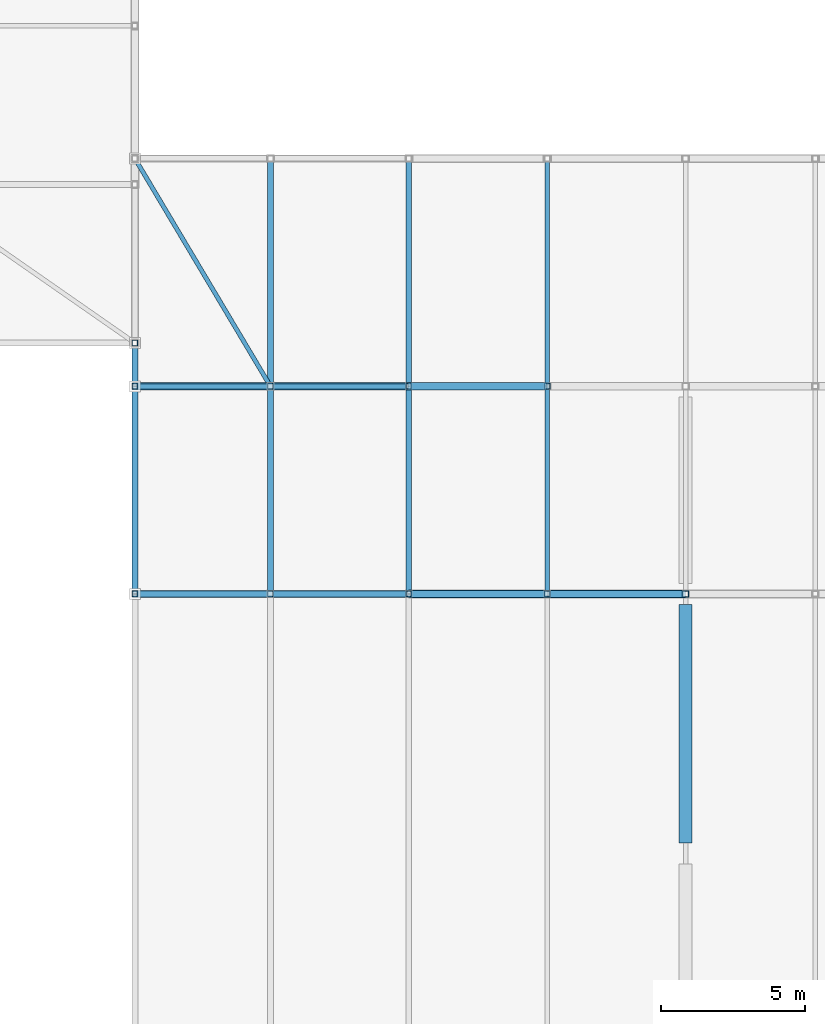
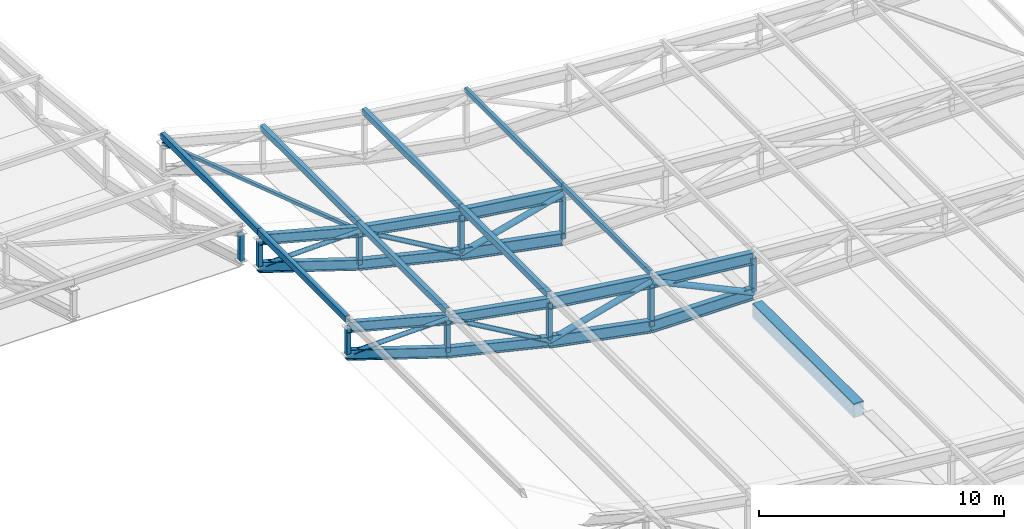
# One storey, part 63 of 114: 26 members, 15 beams.
"""IFC4 building model written with IfcOpenShell, lengths in metres."""

from ifc_helpers import new_model, si_unit, direction, frame, origin, origin_2d, place, context, subcontext, project, spatial, rectangle, hollow_rectangle, hollow_circle, i_section, extrude, material, material_profile, profile_set, type_object, element, save


model = new_model("IFC4")

# Units and contexts
model_context = context("Model", 3, precision=1e-05, world=origin(), true_north=direction((0.0, 1.0)))
body_context = subcontext(model_context, "Body", "Model", "MODEL_VIEW")
ifc_project = project(units=[si_unit("LENGTHUNIT", "METRE"), si_unit("AREAUNIT", "SQUARE_METRE"), si_unit("VOLUMEUNIT", "CUBIC_METRE"), si_unit("PLANEANGLEUNIT", "RADIAN"), si_unit("MASSUNIT", "GRAM", prefix="KILO"), si_unit("THERMODYNAMICTEMPERATUREUNIT", "KELVIN"), si_unit("POWERUNIT", "WATT")], contexts=[model_context])

# Site, building, storey
site_placement = place(None, origin())
site = spatial("IfcSite", under=ifc_project, at=site_placement, CompositionType="ELEMENT")
building_placement = place(site_placement, origin())
building = spatial("IfcBuilding", under=site, at=building_placement, Name="Sindhuravela Promenade Stadium", CompositionType="ELEMENT")
storey_placement = place(building_placement, frame((0.0, 0.0, 24.0)))
storey = spatial("IfcBuildingStorey", under=building, at=storey_placement, Name="L05", CompositionType="ELEMENT", Elevation=24.0)

# Beams
ifc_material_1 = material(Name="Concrete M40", Category="concrete")
ifc_material_profile_1 = material_profile(ifc_material_1, rectangle(XDim=0.449951171875, YDim=0.699951171875, at=origin_2d()), Name="RC 450x700")
ifc_profile_set_1 = profile_set([ifc_material_profile_1], Name="Concrete M40")
beam_type_1 = type_object("IfcBeamType", Name="RC-BM-450x700", PredefinedType="BEAM", material=ifc_profile_set_1)
beam_1_placement = place(storey_placement, frame((180.0, 101.1650390625, -0.594970703125), z_axis=(0.0, 1.0, 0.0), x_axis=(-1.0, 0.0, 0.0)))
element("IfcBeam", 1, at=beam_1_placement, inside=storey, type_object=beam_type_1, Name="Primary beam GB07 EAST L05", PredefinedType="BEAM", context=body_context, shape_type="SweptSolid", body=[
    extrude(rectangle(XDim=0.449951171875, YDim=0.699951171875, at=origin_2d()), origin(), (0.0, 0.0, 1.0), 8.27001953125),
])
ifc_material_2 = material(Name="Steel E350 (IS 2062 E350BR)", Category="steel")
ifc_material_profile_2 = material_profile(ifc_material_2, i_section(OverallWidth=0.25, OverallDepth=0.5, WebThickness=0.010009765625, FlangeThickness=0.0146484375, FilletRadius=0.014892578125, at=origin_2d()), Name="ISWB 500")
ifc_profile_set_2 = profile_set([ifc_material_profile_2], Name="Steel E350 (IS 2062 E350BR)")
beam_type_2 = type_object("IfcBeamType", Name="ST-BM-WB500", PredefinedType="USERDEFINED", material=ifc_profile_set_2)
beam_2_placement = place(storey_placement, frame((170.39990234375, 109.800048828125, 2.889892578125), z_axis=(-0.9842948598662152, 0.0, 0.17653223173388988), x_axis=(0.0, -1.0, 0.0)))
element("IfcBeam", 2, at=beam_2_placement, inside=storey, type_object=beam_type_2, Name="Roof truss RT-E07 top chord 7", ObjectType="ROOF TRUSS", PredefinedType="USERDEFINED", context=body_context, shape_type="SweptSolid", body=[
    extrude(i_section(OverallWidth=0.25, OverallDepth=0.5, WebThickness=0.010009765625, FlangeThickness=0.0146484375, FilletRadius=0.014892578125, at=origin_2d()), origin(), (0.0, 0.0, 1.0), 4.87646484375),
])
beam_3_placement = place(storey_placement, frame((170.39990234375, 109.800048828125, 0.955322265625), z_axis=(-0.9727610703429832, 0.0, 0.23181005160513105), x_axis=(0.0, -1.0, 0.0)))
element("IfcBeam", 3, at=beam_3_placement, inside=storey, type_object=beam_type_2, Name="Roof truss RT-E07 bottom chord 7", ObjectType="ROOF TRUSS", PredefinedType="USERDEFINED", context=body_context, shape_type="SweptSolid", body=[
    extrude(i_section(OverallWidth=0.25, OverallDepth=0.5, WebThickness=0.010009765625, FlangeThickness=0.0146484375, FilletRadius=0.014892578125, at=origin_2d()), origin(), (0.0, 0.0, 1.0), 4.934326171875),
])
beam_4_placement = place(storey_placement, frame((165.60009765625, 109.800048828125, 3.750732421875), z_axis=(-0.9664454134987205, 0.0, 0.2568720746349965), x_axis=(0.0, -1.0, 0.0)))
element("IfcBeam", 4, at=beam_4_placement, inside=storey, type_object=beam_type_2, Name="Roof truss RT-E07 top chord 8", ObjectType="ROOF TRUSS", PredefinedType="USERDEFINED", context=body_context, shape_type="SweptSolid", body=[
    extrude(i_section(OverallWidth=0.25, OverallDepth=0.5, WebThickness=0.010009765625, FlangeThickness=0.0146484375, FilletRadius=0.014892578125, at=origin_2d()), origin(), (0.0, 0.0, 1.0), 4.86328125),
])
beam_5_placement = place(storey_placement, frame((165.60009765625, 109.800048828125, 2.09912109375), z_axis=(-0.951134224020653, 0.0, 0.3087777321903741), x_axis=(0.0, -1.0, 0.0)))
element("IfcBeam", 5, at=beam_5_placement, inside=storey, type_object=beam_type_2, Name="Roof truss RT-E07 bottom chord 8", ObjectType="ROOF TRUSS", PredefinedType="USERDEFINED", context=body_context, shape_type="SweptSolid", body=[
    extrude(i_section(OverallWidth=0.25, OverallDepth=0.5, WebThickness=0.010009765625, FlangeThickness=0.0146484375, FilletRadius=0.014892578125, at=origin_2d()), origin(), (0.0, 0.0, 1.0), 4.941650390625),
])
beam_6_placement = place(storey_placement, frame((170.39990234375, 117.0, 2.889892578125), z_axis=(-0.9842948598662152, 0.0, 0.17653223173388988), x_axis=(0.0, -1.0, 0.0)))
element("IfcBeam", 6, at=beam_6_placement, inside=storey, type_object=beam_type_2, Name="Roof truss RT-E08 top chord 7", ObjectType="ROOF TRUSS", PredefinedType="USERDEFINED", context=body_context, shape_type="SweptSolid", body=[
    extrude(i_section(OverallWidth=0.25, OverallDepth=0.5, WebThickness=0.010009765625, FlangeThickness=0.0146484375, FilletRadius=0.014892578125, at=origin_2d()), origin(), (0.0, 0.0, 1.0), 4.87646484375),
])
beam_7_placement = place(storey_placement, frame((170.39990234375, 117.0, 0.955322265625), z_axis=(-0.9727610703429832, 0.0, 0.23181005160513105), x_axis=(0.0, -1.0, 0.0)))
element("IfcBeam", 7, at=beam_7_placement, inside=storey, type_object=beam_type_2, Name="Roof truss RT-E08 bottom chord 7", ObjectType="ROOF TRUSS", PredefinedType="USERDEFINED", context=body_context, shape_type="SweptSolid", body=[
    extrude(i_section(OverallWidth=0.25, OverallDepth=0.5, WebThickness=0.010009765625, FlangeThickness=0.0146484375, FilletRadius=0.014892578125, at=origin_2d()), origin(), (0.0, 0.0, 1.0), 4.934326171875),
])
beam_8_placement = place(storey_placement, frame((165.60009765625, 117.0, 3.750732421875), z_axis=(-0.9664454134987205, 0.0, 0.2568720746349965), x_axis=(0.0, -1.0, 0.0)))
element("IfcBeam", 8, at=beam_8_placement, inside=storey, type_object=beam_type_2, Name="Roof truss RT-E08 top chord 8", ObjectType="ROOF TRUSS", PredefinedType="USERDEFINED", context=body_context, shape_type="SweptSolid", body=[
    extrude(i_section(OverallWidth=0.25, OverallDepth=0.5, WebThickness=0.010009765625, FlangeThickness=0.0146484375, FilletRadius=0.014892578125, at=origin_2d()), origin(), (0.0, 0.0, 1.0), 4.86328125),
])
beam_9_placement = place(storey_placement, frame((165.60009765625, 117.0, 2.09912109375), z_axis=(-0.951134224020653, 0.0, 0.3087777321903741), x_axis=(0.0, -1.0, 0.0)))
element("IfcBeam", 9, at=beam_9_placement, inside=storey, type_object=beam_type_2, Name="Roof truss RT-E08 bottom chord 8", ObjectType="ROOF TRUSS", PredefinedType="USERDEFINED", context=body_context, shape_type="SweptSolid", body=[
    extrude(i_section(OverallWidth=0.25, OverallDepth=0.5, WebThickness=0.010009765625, FlangeThickness=0.0146484375, FilletRadius=0.014892578125, at=origin_2d()), origin(), (0.0, 0.0, 1.0), 4.941650390625),
])
ifc_material_profile_3 = material_profile(ifc_material_2, i_section(OverallWidth=0.25, OverallDepth=0.60009765625, WebThickness=0.01171875, FlangeThickness=0.023681640625, FilletRadius=0.01708984375, at=origin_2d()), Name="ISWB 600")
ifc_profile_set_3 = profile_set([ifc_material_profile_3], Name="Steel E350 (IS 2062 E350BR)")
beam_type_3 = type_object("IfcBeamType", Name="ST-BM-WB600", PredefinedType="USERDEFINED", material=ifc_profile_set_3)
beam_10_placement = place(storey_placement, frame((180.0, 109.800048828125, 1.7578125), z_axis=(-0.9947943351162852, 0.0, 0.10190304617894301), x_axis=(0.0, -1.0, 0.0)))
element("IfcBeam", 10, at=beam_10_placement, inside=storey, type_object=beam_type_3, Name="Roof truss RT-E07 top chord 5", ObjectType="ROOF TRUSS", PredefinedType="USERDEFINED", context=body_context, shape_type="SweptSolid", body=[
    extrude(i_section(OverallWidth=0.25, OverallDepth=0.60009765625, WebThickness=0.01171875, FlangeThickness=0.023681640625, FilletRadius=0.01708984375, at=origin_2d()), origin(), (0.0, 0.0, 1.0), 4.8251953125),
])
beam_11_placement = place(storey_placement, frame((180.0, 109.800048828125, 0.0), z_axis=(-0.9999778033758007, 0.0, 0.006662788883690041), x_axis=(0.0, -1.0, 0.0)))
element("IfcBeam", 11, at=beam_11_placement, inside=storey, type_object=beam_type_3, Name="Roof truss RT-E07 bottom chord 5", ObjectType="ROOF TRUSS", PredefinedType="USERDEFINED", context=body_context, shape_type="SweptSolid", body=[
    extrude(i_section(OverallWidth=0.25, OverallDepth=0.60009765625, WebThickness=0.01171875, FlangeThickness=0.023681640625, FilletRadius=0.01708984375, at=origin_2d()), origin(), (0.0, 0.0, 1.0), 4.800048828125),
])
beam_12_placement = place(storey_placement, frame((175.199951171875, 109.800048828125, 2.24951171875), z_axis=(-0.9912177706556925, 0.0, 0.1322396730802035), x_axis=(0.0, -1.0, 0.0)))
element("IfcBeam", 12, at=beam_12_placement, inside=storey, type_object=beam_type_3, Name="Roof truss RT-E07 top chord 6", ObjectType="ROOF TRUSS", PredefinedType="USERDEFINED", context=body_context, shape_type="SweptSolid", body=[
    extrude(i_section(OverallWidth=0.25, OverallDepth=0.60009765625, WebThickness=0.01171875, FlangeThickness=0.023681640625, FilletRadius=0.01708984375, at=origin_2d()), origin(), (0.0, 0.0, 1.0), 4.842529296875),
])
beam_13_placement = place(storey_placement, frame((175.199951171875, 109.800048828125, 0.031982421875), z_axis=(-0.9819968269215247, 0.0, 0.18889741108881575), x_axis=(0.0, -1.0, 0.0)))
element("IfcBeam", 13, at=beam_13_placement, inside=storey, type_object=beam_type_3, Name="Roof truss RT-E07 bottom chord 6", ObjectType="ROOF TRUSS", PredefinedType="USERDEFINED", context=body_context, shape_type="SweptSolid", body=[
    extrude(i_section(OverallWidth=0.25, OverallDepth=0.60009765625, WebThickness=0.01171875, FlangeThickness=0.023681640625, FilletRadius=0.01708984375, at=origin_2d()), origin(), (0.0, 0.0, 1.0), 4.887939453125),
])
beam_14_placement = place(storey_placement, frame((175.199951171875, 117.0, 2.24951171875), z_axis=(-0.9912177706556925, 0.0, 0.1322396730802035), x_axis=(0.0, -1.0, 0.0)))
element("IfcBeam", 14, at=beam_14_placement, inside=storey, type_object=beam_type_3, Name="Roof truss RT-E08 top chord 6", ObjectType="ROOF TRUSS", PredefinedType="USERDEFINED", context=body_context, shape_type="SweptSolid", body=[
    extrude(i_section(OverallWidth=0.25, OverallDepth=0.60009765625, WebThickness=0.01171875, FlangeThickness=0.023681640625, FilletRadius=0.01708984375, at=origin_2d()), origin(), (0.0, 0.0, 1.0), 4.842529296875),
])
beam_15_placement = place(storey_placement, frame((175.199951171875, 117.0, 0.031982421875), z_axis=(-0.9819968269215247, 0.0, 0.18889741108881575), x_axis=(0.0, -1.0, 0.0)))
element("IfcBeam", 15, at=beam_15_placement, inside=storey, type_object=beam_type_3, Name="Roof truss RT-E08 bottom chord 6", ObjectType="ROOF TRUSS", PredefinedType="USERDEFINED", context=body_context, shape_type="SweptSolid", body=[
    extrude(i_section(OverallWidth=0.25, OverallDepth=0.60009765625, WebThickness=0.01171875, FlangeThickness=0.023681640625, FilletRadius=0.01708984375, at=origin_2d()), origin(), (0.0, 0.0, 1.0), 4.887939453125),
])

# Members
ifc_material_profile_4 = material_profile(ifc_material_2, hollow_circle(Radius=0.109619140625, WallThickness=0.010009765625, at=origin_2d()), Name="CHS 219.1x10")
ifc_profile_set_4 = profile_set([ifc_material_profile_4], Name="Steel E350 (IS 2062 E350BR)")
member_type_1 = type_object("IfcMemberType", Name="ST-MB-CHS219", PredefinedType="BRACE", material=ifc_profile_set_4)
member_1_placement = place(storey_placement, frame((170.39990234375, 109.800048828125, 0.955322265625), z_axis=(-0.8641294101630913, 0.0, 0.5032696717379143), x_axis=(0.0, -1.0, 0.0)))
element("IfcMember", 16, at=member_1_placement, inside=storey, type_object=member_type_1, Name="Roof truss RT-E07 diagonal web 7", PredefinedType="BRACE", context=body_context, shape_type="SweptSolid", body=[
    extrude(hollow_circle(Radius=0.109619140625, WallThickness=0.010009765625, at=origin_2d()), origin(), (0.0, 0.0, 1.0), 5.554443359375),
])
member_2_placement = place(storey_placement, frame((165.60009765625, 109.800048828125, 3.750732421875), z_axis=(-0.9996423981548164, 0.0, -0.02674090146736601), x_axis=(0.0, -1.0, 0.0)))
element("IfcMember", 17, at=member_2_placement, inside=storey, type_object=member_type_1, Name="Roof truss RT-E07 diagonal web 8", PredefinedType="BRACE", context=body_context, shape_type="SweptSolid", body=[
    extrude(hollow_circle(Radius=0.109619140625, WallThickness=0.010009765625, at=origin_2d()), origin(), (0.0, 0.0, 1.0), 4.701904296875),
])
member_3_placement = place(storey_placement, frame((170.39990234375, 117.0, 0.955322265625), z_axis=(-0.8641294101630913, 0.0, 0.5032696717379143), x_axis=(0.0, -1.0, 0.0)))
element("IfcMember", 18, at=member_3_placement, inside=storey, type_object=member_type_1, Name="Roof truss RT-E08 diagonal web 7", PredefinedType="BRACE", context=body_context, shape_type="SweptSolid", body=[
    extrude(hollow_circle(Radius=0.109619140625, WallThickness=0.010009765625, at=origin_2d()), origin(), (0.0, 0.0, 1.0), 5.554443359375),
])
member_4_placement = place(storey_placement, frame((165.60009765625, 117.0, 3.750732421875), z_axis=(-0.9996423981548164, 0.0, -0.02674090146736601), x_axis=(0.0, -1.0, 0.0)))
element("IfcMember", 19, at=member_4_placement, inside=storey, type_object=member_type_1, Name="Roof truss RT-E08 diagonal web 8", PredefinedType="BRACE", context=body_context, shape_type="SweptSolid", body=[
    extrude(hollow_circle(Radius=0.109619140625, WallThickness=0.010009765625, at=origin_2d()), origin(), (0.0, 0.0, 1.0), 4.701904296875),
])
ifc_material_profile_5 = material_profile(ifc_material_2, hollow_circle(Radius=0.136474609375, WallThickness=0.010009765625, at=origin_2d()), Name="CHS 273.0x10")
ifc_profile_set_5 = profile_set([ifc_material_profile_5], Name="Steel E350 (IS 2062 E350BR)")
member_type_2 = type_object("IfcMemberType", Name="ST-MB-CHS273", PredefinedType="BRACE", material=ifc_profile_set_5)
member_5_placement = place(storey_placement, frame((180.0, 109.800048828125, 0.0), z_axis=(-0.9054959907272458, 0.0, 0.4243548170775059), x_axis=(0.0, -1.0, 0.0)))
element("IfcMember", 20, at=member_5_placement, inside=storey, type_object=member_type_2, Name="Roof truss RT-E07 diagonal web 5", PredefinedType="BRACE", context=body_context, shape_type="SweptSolid", body=[
    extrude(hollow_circle(Radius=0.136474609375, WallThickness=0.010009765625, at=origin_2d()), origin(), (0.0, 0.0, 1.0), 5.301025390625),
])
for number, where, z_axis, x_axis, name in (
    (21, (175.199951171875, 109.800048828125, 2.24951171875), (-0.9655213389510635, 0.0, -0.26032392135596294), (0.0, -1.0, 0.0), "Roof truss RT-E07 diagonal web 6"),
    (22, (175.199951171875, 117.0, 2.24951171875), (-0.9655213389510635, 0.0, -0.26032392135596294), (0.0, -1.0, 0.0), "Roof truss RT-E08 diagonal web 6"),
):
    element("IfcMember", number, at=place(storey_placement, frame(where, z_axis=z_axis, x_axis=x_axis)), inside=storey, type_object=member_type_2, Name=name, PredefinedType="BRACE", context=body_context, shape_type="SweptSolid", body=[
        extrude(hollow_circle(Radius=0.136474609375, WallThickness=0.010009765625, at=origin_2d()), origin(), (0.0, 0.0, 1.0), 4.971435546875),
    ])
ifc_material_profile_6 = material_profile(ifc_material_2, hollow_rectangle(XDim=0.14990234375, YDim=0.25, WallThickness=0.010009765625, at=origin_2d()), Name="RHS 250x150x10")
ifc_profile_set_6 = profile_set([ifc_material_profile_6], Name="Steel E350 (IS 2062 E350BR)")
member_type_3 = type_object("IfcMemberType", Name="ST-MB-RHS250", PredefinedType="PURLIN", material=ifc_profile_set_6)
member_6_placement = place(storey_placement, frame((175.199951171875, 109.800048828125, 2.641357421875), z_axis=(0.0, 1.0, 0.0), x_axis=(-1.0, 0.0, 0.0)))
element("IfcMember", 23, at=member_6_placement, inside=storey, type_object=member_type_3, Name="Roof purlin PR01 E bay 7.6", PredefinedType="PURLIN", context=body_context, shape_type="SweptSolid", body=[
    extrude(hollow_rectangle(XDim=0.14990234375, YDim=0.25, WallThickness=0.010009765625, at=origin_2d()), origin(), (0.0, 0.0, 1.0), 7.199951171875),
])
member_7_placement = place(storey_placement, frame((175.199951171875, 117.0, 2.641357421875), z_axis=(0.0, 1.0, 0.0), x_axis=(-1.0, 0.0, 0.0)))
element("IfcMember", 24, at=member_7_placement, inside=storey, type_object=member_type_3, Name="Roof purlin PR01 E bay 8.6", PredefinedType="PURLIN", context=body_context, shape_type="SweptSolid", body=[
    extrude(hollow_rectangle(XDim=0.14990234375, YDim=0.25, WallThickness=0.010009765625, at=origin_2d()), origin(), (0.0, 0.0, 1.0), 7.89990234375),
])
ifc_material_profile_7 = material_profile(ifc_material_2, hollow_rectangle(XDim=0.199951171875, YDim=0.300048828125, WallThickness=0.010009765625, at=origin_2d()), Name="RHS 300x200x10")
ifc_profile_set_7 = profile_set([ifc_material_profile_7], Name="Steel E350 (IS 2062 E350BR)")
member_type_4 = type_object("IfcMemberType", Name="ST-MB-RHS300", PredefinedType="PURLIN", material=ifc_profile_set_7)
for number, where, z_axis, x_axis, name in (
    (25, (170.39990234375, 109.800048828125, 3.2568359375), (0.0, 1.0, 0.0), (-1.0, 0.0, 0.0), "Roof purlin PR02 E bay 7.7"),
    (26, (165.60009765625, 109.800048828125, 4.117919921875), (0.0, 1.0, 0.0), (-1.0, 0.0, 0.0), "Roof purlin PR02 E bay 7.8"),
    (27, (160.89990234375, 109.800048828125, 5.366943359375), (0.0, 1.0, 0.0), (-1.0, 0.0, 0.0), "Roof purlin PR02 E bay 7.9"),
):
    element("IfcMember", number, at=place(storey_placement, frame(where, z_axis=z_axis, x_axis=x_axis)), inside=storey, type_object=member_type_4, Name=name, PredefinedType="PURLIN", context=body_context, shape_type="SweptSolid", body=[
        extrude(hollow_rectangle(XDim=0.199951171875, YDim=0.300048828125, WallThickness=0.010009765625, at=origin_2d()), origin(), (0.0, 0.0, 1.0), 7.199951171875),
    ])
for number, where, z_axis, x_axis, name in (
    (28, (170.39990234375, 117.0, 3.2568359375), (0.0, 1.0, 0.0), (-1.0, 0.0, 0.0), "Roof purlin PR02 E bay 8.7"),
    (29, (165.60009765625, 117.0, 4.117919921875), (0.0, 1.0, 0.0), (-1.0, 0.0, 0.0), "Roof purlin PR02 E bay 8.8"),
    (30, (160.89990234375, 117.0, 5.366943359375), (0.0, 1.0, 0.0), (-1.0, 0.0, 0.0), "Roof purlin PR02 E bay 8.9"),
):
    element("IfcMember", number, at=place(storey_placement, frame(where, z_axis=z_axis, x_axis=x_axis)), inside=storey, type_object=member_type_4, Name=name, PredefinedType="PURLIN", context=body_context, shape_type="SweptSolid", body=[
        extrude(hollow_rectangle(XDim=0.199951171875, YDim=0.300048828125, WallThickness=0.010009765625, at=origin_2d()), origin(), (0.0, 0.0, 1.0), 7.89990234375),
    ])
ifc_material_profile_8 = material_profile(ifc_material_2, hollow_rectangle(XDim=0.14990234375, YDim=0.14990234375, WallThickness=0.008056640625, at=origin_2d()), Name="SHS 150x150x8")
ifc_profile_set_8 = profile_set([ifc_material_profile_8], Name="Steel E350 (IS 2062 E350BR)")
member_type_5 = type_object("IfcMemberType", Name="ST-MB-SHS150", PredefinedType="BRACE", material=ifc_profile_set_8)
member_8_placement = place(storey_placement, frame((165.60009765625, 117.0, 3.750732421875), z_axis=(-0.506655551444734, 0.8515666078147051, 0.13466426640051443), x_axis=(-0.8593945896502115, -0.5113129562997055, 0.0)))
element("IfcMember", 31, at=member_8_placement, inside=storey, type_object=member_type_5, Name="Roof wind brace MB01 E bay 8", PredefinedType="BRACE", context=body_context, shape_type="SweptSolid", body=[
    extrude(hollow_rectangle(XDim=0.14990234375, YDim=0.14990234375, WallThickness=0.008056640625, at=origin_2d()), origin(), (0.0, 0.0, 1.0), 9.27685546875),
])
ifc_material_profile_9 = material_profile(ifc_material_2, hollow_rectangle(XDim=0.199951171875, YDim=0.199951171875, WallThickness=0.010009765625, at=origin_2d()), Name="SHS 200x200x10")
ifc_profile_set_9 = profile_set([ifc_material_profile_9], Name="Steel E350 (IS 2062 E350BR)")
member_type_6 = type_object("IfcMemberType", Name="ST-MB-SHS200", PredefinedType="POST", material=ifc_profile_set_9)
member_9_placement = place(storey_placement, frame((175.199951171875, 109.800048828125, 0.031982421875), z_axis=(0.0, 0.0, 1.0), x_axis=(1.0, 0.0, 0.0)))
element("IfcMember", 32, at=member_9_placement, inside=storey, type_object=member_type_6, Name="Roof truss RT-E07 vertical post 6", PredefinedType="POST", context=body_context, shape_type="SweptSolid", body=[
    extrude(hollow_rectangle(XDim=0.199951171875, YDim=0.199951171875, WallThickness=0.010009765625, at=origin_2d()), origin(), (0.0, 0.0, 1.0), 2.217529296875),
])
member_10_placement = place(storey_placement, frame((170.39990234375, 109.800048828125, 0.955322265625), z_axis=(0.0, 0.0, 1.0), x_axis=(1.0, 0.0, 0.0)))
element("IfcMember", 33, at=member_10_placement, inside=storey, type_object=member_type_6, Name="Roof truss RT-E07 vertical post 7", PredefinedType="POST", context=body_context, shape_type="SweptSolid", body=[
    extrude(hollow_rectangle(XDim=0.199951171875, YDim=0.199951171875, WallThickness=0.010009765625, at=origin_2d()), origin(), (0.0, 0.0, 1.0), 1.9345703125),
])
member_11_placement = place(storey_placement, frame((165.60009765625, 109.800048828125, 2.09912109375), z_axis=(0.0, 0.0, 1.0), x_axis=(1.0, 0.0, 0.0)))
element("IfcMember", 34, at=member_11_placement, inside=storey, type_object=member_type_6, Name="Roof truss RT-E07 vertical post 8", PredefinedType="POST", context=body_context, shape_type="SweptSolid", body=[
    extrude(hollow_rectangle(XDim=0.199951171875, YDim=0.199951171875, WallThickness=0.010009765625, at=origin_2d()), origin(), (0.0, 0.0, 1.0), 1.651611328125),
])
member_12_placement = place(storey_placement, frame((160.89990234375, 109.800048828125, 3.625), z_axis=(0.0, 0.0, 1.0), x_axis=(1.0, 0.0, 0.0)))
element("IfcMember", 35, at=member_12_placement, inside=storey, type_object=member_type_6, Name="Roof truss RT-E07 vertical post 9", PredefinedType="POST", context=body_context, shape_type="SweptSolid", body=[
    extrude(hollow_rectangle(XDim=0.199951171875, YDim=0.199951171875, WallThickness=0.010009765625, at=origin_2d()), origin(), (0.0, 0.0, 1.0), 1.375),
])
member_13_placement = place(storey_placement, frame((175.199951171875, 117.0, 0.031982421875), z_axis=(0.0, 0.0, 1.0), x_axis=(1.0, 0.0, 0.0)))
element("IfcMember", 36, at=member_13_placement, inside=storey, type_object=member_type_6, Name="Roof truss RT-E08 vertical post 6", PredefinedType="POST", context=body_context, shape_type="SweptSolid", body=[
    extrude(hollow_rectangle(XDim=0.199951171875, YDim=0.199951171875, WallThickness=0.010009765625, at=origin_2d()), origin(), (0.0, 0.0, 1.0), 2.217529296875),
])
member_14_placement = place(storey_placement, frame((170.39990234375, 117.0, 0.955322265625), z_axis=(0.0, 0.0, 1.0), x_axis=(1.0, 0.0, 0.0)))
element("IfcMember", 37, at=member_14_placement, inside=storey, type_object=member_type_6, Name="Roof truss RT-E08 vertical post 7", PredefinedType="POST", context=body_context, shape_type="SweptSolid", body=[
    extrude(hollow_rectangle(XDim=0.199951171875, YDim=0.199951171875, WallThickness=0.010009765625, at=origin_2d()), origin(), (0.0, 0.0, 1.0), 1.9345703125),
])
member_15_placement = place(storey_placement, frame((165.60009765625, 117.0, 2.09912109375), z_axis=(0.0, 0.0, 1.0), x_axis=(1.0, 0.0, 0.0)))
element("IfcMember", 38, at=member_15_placement, inside=storey, type_object=member_type_6, Name="Roof truss RT-E08 vertical post 8", PredefinedType="POST", context=body_context, shape_type="SweptSolid", body=[
    extrude(hollow_rectangle(XDim=0.199951171875, YDim=0.199951171875, WallThickness=0.010009765625, at=origin_2d()), origin(), (0.0, 0.0, 1.0), 1.651611328125),
])
for number, where, z_axis, x_axis, name in (
    (39, (160.89990234375, 117.0, 3.625), (0.0, 0.0, 1.0), (1.0, 0.0, 0.0), "Roof truss RT-E08 vertical post 9"),
    (40, (160.89990234375, 118.5, 3.02490234375), (0.0, 0.0, 1.0), (1.0, 0.0, 0.0), "Roof truss RT-N09 vertical post 6"),
):
    element("IfcMember", number, at=place(storey_placement, frame(where, z_axis=z_axis, x_axis=x_axis)), inside=storey, type_object=member_type_6, Name=name, PredefinedType="POST", context=body_context, shape_type="SweptSolid", body=[
        extrude(hollow_rectangle(XDim=0.199951171875, YDim=0.199951171875, WallThickness=0.010009765625, at=origin_2d()), origin(), (0.0, 0.0, 1.0), 1.375),
    ])
ifc_material_profile_10 = material_profile(ifc_material_2, hollow_rectangle(XDim=0.219970703125, YDim=0.219970703125, WallThickness=0.011962890625, at=origin_2d()), Name="SHS 220x220x12")
ifc_profile_set_10 = profile_set([ifc_material_profile_10], Name="Steel E350 (IS 2062 E350BR)")
member_type_7 = type_object("IfcMemberType", Name="ST-MB-SHS220", PredefinedType="POST", material=ifc_profile_set_10)
member_16_placement = place(storey_placement, frame((180.0, 109.800048828125, 0.0), z_axis=(0.0, 0.0, 1.0), x_axis=(1.0, 0.0, 0.0)))
element("IfcMember", 41, at=member_16_placement, inside=storey, type_object=member_type_7, Name="Roof truss RT-E07 vertical post 5", PredefinedType="POST", context=body_context, shape_type="SweptSolid", body=[
    extrude(hollow_rectangle(XDim=0.219970703125, YDim=0.219970703125, WallThickness=0.011962890625, at=origin_2d()), origin(), (0.0, 0.0, 1.0), 1.7578125),
])

save(model, "model.ifc")
